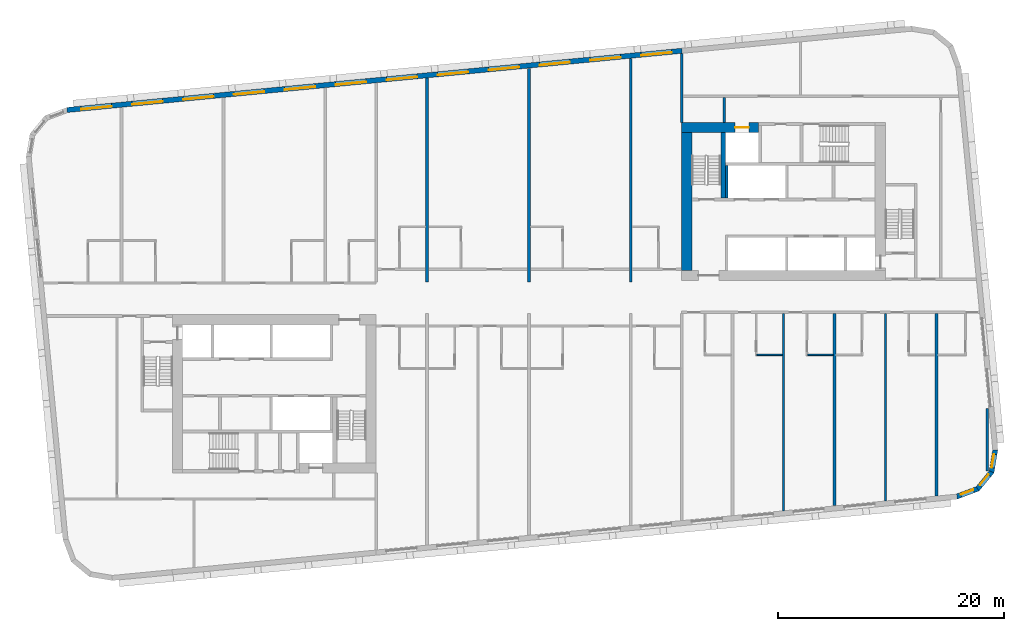
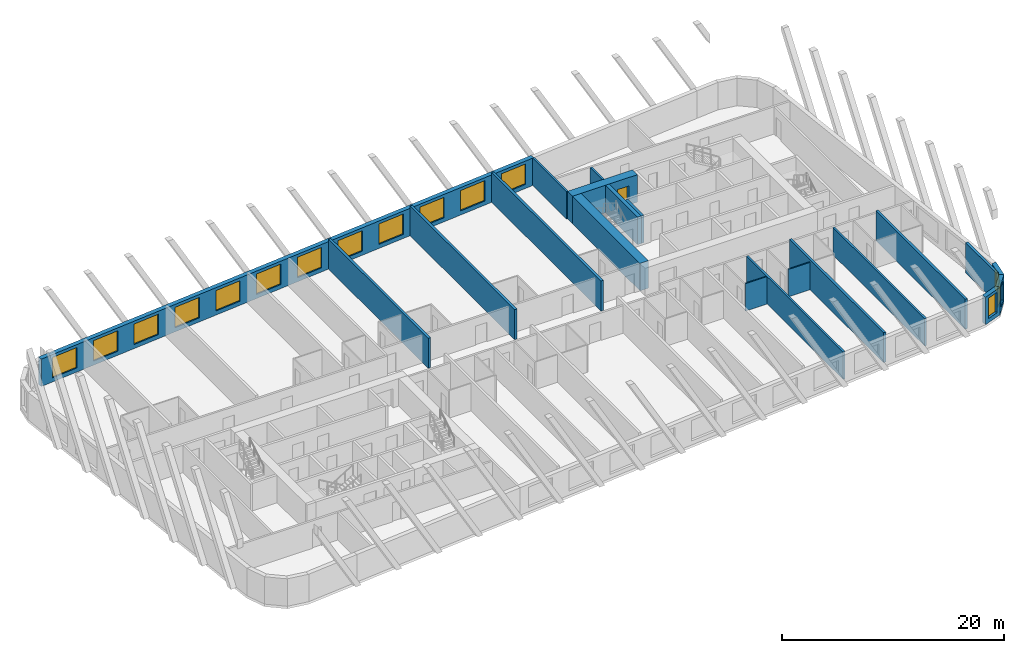
# One storey, part 6 of 13: 20 walls, 15 windows, 1 door, 16 openings.
"""IFC4 building model written with IfcOpenShell, lengths in metres."""

from ifc_helpers import new_model, si_unit, direction, frame, frame_2d, origin, place, context, subcontext, project, spatial, polyline, rectangle, outline, extrude, material, layer, layer_set, type_object, element, fill, save


model = new_model("IFC4")

# Units and contexts
model_context = context("Model", 3, precision=1e-05, world=origin(), true_north=direction((0.0, 1.0)))
body_context = subcontext(model_context, "Body", "Model", "MODEL_VIEW")
ifc_project = project(units=[si_unit("LENGTHUNIT", "METRE"), si_unit("AREAUNIT", "SQUARE_METRE"), si_unit("VOLUMEUNIT", "CUBIC_METRE"), si_unit("PLANEANGLEUNIT", "RADIAN"), si_unit("MASSUNIT", "GRAM", prefix="KILO")], contexts=[model_context])

# Site, building, storey
site_placement = place(None, origin())
site = spatial("IfcSite", under=ifc_project, at=site_placement, CompositionType="ELEMENT")
building_placement = place(site_placement, origin())
building = spatial("IfcBuilding", under=site, at=building_placement, Name="Kajstack Hotel Tower", CompositionType="ELEMENT")
storey_placement = place(building_placement, frame((0.0, 0.0, 186.699951171875)))
storey = spatial("IfcBuildingStorey", under=building, at=storey_placement, Name="L44", CompositionType="ELEMENT", Elevation=186.699951171875)

# Wall, opening, door
ifc_material_1 = material(Name="Concrete C60/75", Category="concrete")
ifc_layer_1 = layer(ifc_material_1, 0.89990234375)
ifc_layer_set_1 = layer_set([ifc_layer_1], Name="Core wall 900")
wall_type_1 = type_object("IfcWallType", Name="Core wall 900", PredefinedType="SHEAR", material=ifc_layer_set_1)
wall_1_placement = place(storey_placement, frame((13.5, 15.050048828125, 0.0), z_axis=(0.0, 0.0, 1.0), x_axis=(1.0, 0.0, 0.0)))
wall_1 = element("IfcWall", 1, at=wall_1_placement, inside=storey, type_object=wall_type_1, Name="Core wall E RS", PredefinedType="SHEAR", context=body_context, shape_type="SweptSolid", body=[
    extrude(rectangle(XDim=6.800048828125, YDim=0.89990234375, at=frame_2d((3.39990234375, 0.0))), origin(), (0.0, 0.0, 1.0), 3.02001953125),
])
opening_1_placement = place(wall_1_placement, frame((4.72509765625, 0.0, 0.0)))
opening_1 = element("IfcOpeningElement", 2, at=opening_1_placement, cuts=wall_1, Name="Opening LD-SV2", PredefinedType="OPENING", context=body_context, shape_type="SweptSolid", body=[
    extrude(rectangle(XDim=1.199951171875, YDim=2.10009765625, at=frame_2d((0.60009765625, 1.050048828125))), frame((0.0, 0.4599609375, 0.0), z_axis=(0.0, -1.0, 0.0), x_axis=(1.0, 0.0, 0.0)), (0.0, 0.0, 1.0), 0.919921875),
])
ifc_material_2 = material(Name="Stainless steel", Category="steel")
door_type = type_object("IfcDoorType", Name="Lift landing door 1200", OperationType="SLIDING_TO_LEFT", PredefinedType="DOOR", material=ifc_material_2)
door_placement = place(opening_1_placement, origin())
door = element("IfcDoor", 3, at=door_placement, inside=storey, type_object=door_type, Name="Landing door SV2", OperationType="SLIDING_TO_LEFT", OverallHeight=2.10009765625, OverallWidth=1.199951171875, PredefinedType="DOOR", context=body_context, shape_type="SweptSolid", body=[
    extrude(rectangle(XDim=1.199951171875, YDim=2.10009765625, at=frame_2d((0.60009765625, 1.050048828125))), frame((0.0, 0.02490234375, 0.0), z_axis=(0.0, -1.0, 0.0), x_axis=(1.0, 0.0, 0.0)), (0.0, 0.0, 1.0), 0.050048828125),
])
fill(opening_1, door)

# Walls
wall_2_placement = place(storey_placement, frame((13.949951171875, 2.39990234375, 0.0), z_axis=(0.0, 0.0, 1.0), x_axis=(0.0, 1.0, 0.0)))
element("IfcWall", 4, at=wall_2_placement, inside=storey, type_object=wall_type_1, Name="Core wall E RE", PredefinedType="SHEAR", context=body_context, shape_type="SweptSolid", body=[
    extrude(rectangle(XDim=12.2001953125, YDim=0.89990234375, at=frame_2d((6.10009765625, 0.0))), origin(), (0.0, 0.0, 1.0), 3.02001953125),
])
ifc_material_3 = material(Name="Twin-frame gypsum board on steel studs, mineral wool", Category="steel")
ifc_layer_2 = layer(ifc_material_3, 0.199951171875)
ifc_layer_set_2 = layer_set([ifc_layer_2], Name="Demising wall 200")
wall_type_2 = type_object("IfcWallType", Name="Demising wall 200", PredefinedType="PARTITIONING", material=ifc_layer_set_2)
wall_3_placement = place(storey_placement, frame((13.5, 15.5, 0.0), z_axis=(0.0, 0.0, 1.0), x_axis=(0.0, 1.0, 0.0)))
element("IfcWall", 5, at=wall_3_placement, inside=storey, type_object=wall_type_2, Name="G-wall-L44-001", PredefinedType="PARTITIONING", context=body_context, shape_type="SweptSolid", body=[
    extrude(rectangle(XDim=6.089111328125, YDim=0.199951171875, at=frame_2d((3.04443359375, 0.0))), origin(), (0.0, 0.0, 1.0), 3.02001953125),
])
wall_4_placement = place(storey_placement, frame((22.5, -18.833984375, 0.0), z_axis=(0.0, 0.0, 1.0), x_axis=(0.0, 1.0, 0.0)))
element("IfcWall", 6, at=wall_4_placement, inside=storey, type_object=wall_type_2, Name="G-wall-L44-038", PredefinedType="PARTITIONING", context=body_context, shape_type="SweptSolid", body=[
    extrude(rectangle(XDim=17.43408203125, YDim=0.199951171875, at=frame_2d((8.717041015625, 0.0))), origin(), (0.0, 0.0, 1.0), 3.02001953125),
])
wall_5_placement = place(storey_placement, frame((31.5, -17.967041015625, 0.0), z_axis=(0.0, 0.0, 1.0), x_axis=(0.0, 1.0, 0.0)))
element("IfcWall", 7, at=wall_5_placement, inside=storey, type_object=wall_type_2, Name="G-wall-L44-043", PredefinedType="PARTITIONING", context=body_context, shape_type="SweptSolid", body=[
    extrude(rectangle(XDim=16.567138671875, YDim=0.199951171875, at=frame_2d((8.28369140625, 0.0))), origin(), (0.0, 0.0, 1.0), 3.02001953125),
])

# Wall, opening, window
ifc_material_4 = material(Name="Terracotta-faced brick masonry", Category="masonry")
ifc_layer_3 = layer(ifc_material_4, 0.449951171875)
ifc_layer_set_3 = layer_set([ifc_layer_3], Name="EW-TERRA")
wall_type_3 = type_object("IfcWallType", Name="EW-TERRA", PredefinedType="SOLIDWALL", material=ifc_layer_set_3)
wall_6_placement = place(storey_placement, frame((37.76123046875, -17.598388671875, 0.0), z_axis=(0.0, 0.0, 1.0), x_axis=(0.936677599948, 0.350192909346, 0.0)))
wall_6 = element("IfcWall", 8, at=wall_6_placement, inside=storey, type_object=wall_type_3, Name="E-wall-L44-05-00", PredefinedType="SOLIDWALL", context=body_context, shape_type="SweptSolid", body=[
    extrude(outline(polyline([(0.0, -0.22509765625), (2.070556640625, -0.224853515625), (1.949951171875, 0.22509765625), (0.12060546875, 0.22509765625), (0.0, -0.22509765625)])), origin(), (0.0, 0.0, 1.0), 3.02001953125),
])
opening_2_placement = place(wall_6_placement, frame((0.435302734375, 0.0, 0.449951171875)))
opening_2 = element("IfcOpeningElement", 9, at=opening_2_placement, cuts=wall_6, Name="Opening W3", PredefinedType="OPENING", context=body_context, shape_type="SweptSolid", body=[
    extrude(rectangle(XDim=1.199951171875, YDim=2.25, at=frame_2d((0.60009765625, 1.125))), frame((0.0, 0.23486328125, 0.0), z_axis=(0.0, -1.0, 0.0), x_axis=(1.0, 0.0, 0.0)), (0.0, 0.0, 1.0), 0.469970703125),
])
ifc_material_5 = material(Name="Timber-aluminium window, triple glazed", Category="wood")
window_type_1 = type_object("IfcWindowType", Name="WG3", PartitioningType="SINGLE_PANEL", PredefinedType="WINDOW", material=ifc_material_5)
window_1_placement = place(opening_2_placement, origin())
window_1 = element("IfcWindow", 10, at=window_1_placement, inside=storey, type_object=window_type_1, Name="Window W3 L44-05", OverallHeight=2.25, OverallWidth=1.199951171875, PartitioningType="SINGLE_PANEL", PredefinedType="WINDOW", context=body_context, shape_type="SweptSolid", body=[
    extrude(rectangle(XDim=1.199951171875, YDim=2.25, at=frame_2d((0.60009765625, 1.125))), frame((0.0, 0.090087890625, 0.0), z_axis=(0.0, -1.0, 0.0), x_axis=(1.0, 0.0, 0.0)), (0.0, 0.0, 1.0), 0.06005859375),
])
fill(opening_2, window_1)

wall_7_placement = place(storey_placement, frame((39.60595703125, -16.94091796875, 0.0), z_axis=(0.0, 0.0, 1.0), x_axis=(0.636116318187, 0.771593176315, 0.0)))
wall_7 = element("IfcWall", 11, at=wall_7_placement, inside=storey, type_object=wall_type_3, Name="E-wall-L44-06-00", PredefinedType="SOLIDWALL", context=body_context, shape_type="SweptSolid", body=[
    extrude(outline(polyline([(0.0, -0.224853515625), (2.070556640625, -0.224853515625), (1.949951171875, 0.22509765625), (0.12060546875, 0.22509765625), (0.0, -0.224853515625)])), origin(), (0.0, 0.0, 1.0), 3.02001953125),
])
opening_3_placement = place(wall_7_placement, frame((0.435302734375, 0.0, 0.449951171875)))
opening_3 = element("IfcOpeningElement", 12, at=opening_3_placement, cuts=wall_7, Name="Opening W3", PredefinedType="OPENING", context=body_context, shape_type="SweptSolid", body=[
    extrude(rectangle(XDim=1.199951171875, YDim=2.25, at=frame_2d((0.60009765625, 1.125))), frame((0.0, 0.23486328125, 0.0), z_axis=(0.0, -1.0, 0.0), x_axis=(1.0, 0.0, 0.0)), (0.0, 0.0, 1.0), 0.469970703125),
])
window_2_placement = place(opening_3_placement, origin())
window_2 = element("IfcWindow", 13, at=window_2_placement, inside=storey, type_object=window_type_1, Name="Window W3 L44-06", OverallHeight=2.25, OverallWidth=1.199951171875, PartitioningType="SINGLE_PANEL", PredefinedType="WINDOW", context=body_context, shape_type="SweptSolid", body=[
    extrude(rectangle(XDim=1.199951171875, YDim=2.25, at=frame_2d((0.60009765625, 1.125))), frame((0.0, 0.090087890625, 0.0), z_axis=(0.0, -1.0, 0.0), x_axis=(1.0, 0.0, 0.0)), (0.0, 0.0, 1.0), 0.06005859375),
])
fill(opening_3, window_2)

wall_8_placement = place(storey_placement, frame((40.874755859375, -15.44921875, 0.0), z_axis=(0.0, 0.0, 1.0), x_axis=(0.164953448126, 0.986301353518, 0.0)))
wall_8 = element("IfcWall", 14, at=wall_8_placement, inside=storey, type_object=wall_type_3, Name="E-wall-L44-07-00", PredefinedType="SOLIDWALL", context=body_context, shape_type="SweptSolid", body=[
    extrude(outline(polyline([(0.0, -0.224853515625), (2.070556640625, -0.22509765625), (1.9501953125, 0.224853515625), (0.12060546875, 0.22509765625), (0.0, -0.224853515625)])), origin(), (0.0, 0.0, 1.0), 3.02001953125),
])
opening_4_placement = place(wall_8_placement, frame((0.435302734375, 0.0, 0.449951171875)))
opening_4 = element("IfcOpeningElement", 15, at=opening_4_placement, cuts=wall_8, Name="Opening W3", PredefinedType="OPENING", context=body_context, shape_type="SweptSolid", body=[
    extrude(rectangle(XDim=1.199951171875, YDim=2.25, at=frame_2d((0.60009765625, 1.125))), frame((0.0, 0.23486328125, 0.0), z_axis=(0.0, -1.0, 0.0), x_axis=(1.0, 0.0, 0.0)), (0.0, 0.0, 1.0), 0.469970703125),
])
window_3_placement = place(opening_4_placement, origin())
window_3 = element("IfcWindow", 16, at=window_3_placement, inside=storey, type_object=window_type_1, Name="Window W3 L44-07", OverallHeight=2.25, OverallWidth=1.199951171875, PartitioningType="SINGLE_PANEL", PredefinedType="WINDOW", context=body_context, shape_type="SweptSolid", body=[
    extrude(rectangle(XDim=1.199951171875, YDim=2.25, at=frame_2d((0.60009765625, 1.125))), frame((0.0, 0.090087890625, 0.0), z_axis=(0.0, -1.0, 0.0), x_axis=(1.0, 0.0, 0.0)), (0.0, 0.0, 1.0), 0.06005859375),
])
fill(opening_4, window_3)

# Wall, openings, windows
wall_9_placement = place(storey_placement, frame((13.521484375, 21.8173828125, 0.0), z_axis=(0.0, 0.0, 1.0), x_axis=(-0.995396508751, -0.095842529008, 0.0)))
wall_9 = element("IfcWall", 17, at=wall_9_placement, inside=storey, type_object=wall_type_3, Name="E-wall-L44-12-02", PredefinedType="SOLIDWALL", context=body_context, shape_type="SweptSolid", body=[
    extrude(rectangle(XDim=54.59130859375, YDim=0.449951171875, at=frame_2d((27.295654296875, 0.0))), origin(), (0.0, 0.0, 1.0), 3.02001953125),
])
opening_5_placement = place(wall_9_placement, frame((0.910400390625, 0.0, 0.449951171875)))
opening_5 = element("IfcOpeningElement", 18, at=opening_5_placement, cuts=wall_9, Name="Opening W1", PredefinedType="OPENING", context=body_context, shape_type="SweptSolid", body=[
    extrude(rectangle(XDim=2.699951171875, YDim=2.25, at=frame_2d((1.35009765625, 1.125))), frame((0.0, 0.23486328125, 0.0), z_axis=(0.0, -1.0, 0.0), x_axis=(1.0, 0.0, 0.0)), (0.0, 0.0, 1.0), 0.469970703125),
])
opening_6_placement = place(wall_9_placement, frame((5.43115234375, 0.0, 0.449951171875)))
opening_6 = element("IfcOpeningElement", 19, at=opening_6_placement, cuts=wall_9, Name="Opening W1", PredefinedType="OPENING", context=body_context, shape_type="SweptSolid", body=[
    extrude(rectangle(XDim=2.699951171875, YDim=2.25, at=frame_2d((1.35009765625, 1.125))), frame((0.0, 0.23486328125, 0.0), z_axis=(0.0, -1.0, 0.0), x_axis=(1.0, 0.0, 0.0)), (0.0, 0.0, 1.0), 0.469970703125),
])
opening_7_placement = place(wall_9_placement, frame((9.951904296875, 0.0, 0.449951171875)))
opening_7 = element("IfcOpeningElement", 20, at=opening_7_placement, cuts=wall_9, Name="Opening W1", PredefinedType="OPENING", context=body_context, shape_type="SweptSolid", body=[
    extrude(rectangle(XDim=2.699951171875, YDim=2.25, at=frame_2d((1.35009765625, 1.125))), frame((0.0, 0.23486328125, 0.0), z_axis=(0.0, -1.0, 0.0), x_axis=(1.0, 0.0, 0.0)), (0.0, 0.0, 1.0), 0.469970703125),
])
opening_8_placement = place(wall_9_placement, frame((14.472900390625, 0.0, 0.449951171875)))
opening_8 = element("IfcOpeningElement", 21, at=opening_8_placement, cuts=wall_9, Name="Opening W1", PredefinedType="OPENING", context=body_context, shape_type="SweptSolid", body=[
    extrude(rectangle(XDim=2.699951171875, YDim=2.25, at=frame_2d((1.35009765625, 1.125))), frame((0.0, 0.23486328125, 0.0), z_axis=(0.0, -1.0, 0.0), x_axis=(1.0, 0.0, 0.0)), (0.0, 0.0, 1.0), 0.469970703125),
])
opening_9_placement = place(wall_9_placement, frame((18.99365234375, 0.0, 0.449951171875)))
opening_9 = element("IfcOpeningElement", 22, at=opening_9_placement, cuts=wall_9, Name="Opening W1", PredefinedType="OPENING", context=body_context, shape_type="SweptSolid", body=[
    extrude(rectangle(XDim=2.699951171875, YDim=2.25, at=frame_2d((1.35009765625, 1.125))), frame((0.0, 0.23486328125, 0.0), z_axis=(0.0, -1.0, 0.0), x_axis=(1.0, 0.0, 0.0)), (0.0, 0.0, 1.0), 0.469970703125),
])
opening_10_placement = place(wall_9_placement, frame((23.514404296875, 0.0, 0.449951171875)))
opening_10 = element("IfcOpeningElement", 23, at=opening_10_placement, cuts=wall_9, Name="Opening W1", PredefinedType="OPENING", context=body_context, shape_type="SweptSolid", body=[
    extrude(rectangle(XDim=2.699951171875, YDim=2.25, at=frame_2d((1.35009765625, 1.125))), frame((0.0, 0.23486328125, 0.0), z_axis=(0.0, -1.0, 0.0), x_axis=(1.0, 0.0, 0.0)), (0.0, 0.0, 1.0), 0.469970703125),
])
opening_11_placement = place(wall_9_placement, frame((28.03515625, 0.0, 0.449951171875)))
opening_11 = element("IfcOpeningElement", 24, at=opening_11_placement, cuts=wall_9, Name="Opening W1", PredefinedType="OPENING", context=body_context, shape_type="SweptSolid", body=[
    extrude(rectangle(XDim=2.699951171875, YDim=2.25, at=frame_2d((1.35009765625, 1.125))), frame((0.0, 0.23486328125, 0.0), z_axis=(0.0, -1.0, 0.0), x_axis=(1.0, 0.0, 0.0)), (0.0, 0.0, 1.0), 0.469970703125),
])
opening_12_placement = place(wall_9_placement, frame((32.555908203125, 0.0, 0.449951171875)))
opening_12 = element("IfcOpeningElement", 25, at=opening_12_placement, cuts=wall_9, Name="Opening W1", PredefinedType="OPENING", context=body_context, shape_type="SweptSolid", body=[
    extrude(rectangle(XDim=2.699951171875, YDim=2.25, at=frame_2d((1.35009765625, 1.125))), frame((0.0, 0.23486328125, 0.0), z_axis=(0.0, -1.0, 0.0), x_axis=(1.0, 0.0, 0.0)), (0.0, 0.0, 1.0), 0.469970703125),
])
opening_13_placement = place(wall_9_placement, frame((37.076904296875, 0.0, 0.449951171875)))
opening_13 = element("IfcOpeningElement", 26, at=opening_13_placement, cuts=wall_9, Name="Opening W1", PredefinedType="OPENING", context=body_context, shape_type="SweptSolid", body=[
    extrude(rectangle(XDim=2.699951171875, YDim=2.25, at=frame_2d((1.35009765625, 1.125))), frame((0.0, 0.23486328125, 0.0), z_axis=(0.0, -1.0, 0.0), x_axis=(1.0, 0.0, 0.0)), (0.0, 0.0, 1.0), 0.469970703125),
])
opening_14_placement = place(wall_9_placement, frame((41.59765625, 0.0, 0.449951171875)))
opening_14 = element("IfcOpeningElement", 27, at=opening_14_placement, cuts=wall_9, Name="Opening W1", PredefinedType="OPENING", context=body_context, shape_type="SweptSolid", body=[
    extrude(rectangle(XDim=2.699951171875, YDim=2.25, at=frame_2d((1.35009765625, 1.125))), frame((0.0, 0.23486328125, 0.0), z_axis=(0.0, -1.0, 0.0), x_axis=(1.0, 0.0, 0.0)), (0.0, 0.0, 1.0), 0.469970703125),
])
opening_15_placement = place(wall_9_placement, frame((46.118408203125, 0.0, 0.449951171875)))
opening_15 = element("IfcOpeningElement", 28, at=opening_15_placement, cuts=wall_9, Name="Opening W1", PredefinedType="OPENING", context=body_context, shape_type="SweptSolid", body=[
    extrude(rectangle(XDim=2.699951171875, YDim=2.25, at=frame_2d((1.35009765625, 1.125))), frame((0.0, 0.23486328125, 0.0), z_axis=(0.0, -1.0, 0.0), x_axis=(1.0, 0.0, 0.0)), (0.0, 0.0, 1.0), 0.469970703125),
])
opening_16_placement = place(wall_9_placement, frame((50.62890625, 0.0, 0.449951171875)))
opening_16 = element("IfcOpeningElement", 29, at=opening_16_placement, cuts=wall_9, Name="Opening W1", PredefinedType="OPENING", context=body_context, shape_type="SweptSolid", body=[
    extrude(rectangle(XDim=2.699951171875, YDim=2.25, at=frame_2d((1.35009765625, 1.125))), frame((0.0, 0.23486328125, 0.0), z_axis=(0.0, -1.0, 0.0), x_axis=(1.0, 0.0, 0.0)), (0.0, 0.0, 1.0), 0.469970703125),
])
window_type_2 = type_object("IfcWindowType", Name="WG1", PartitioningType="SINGLE_PANEL", PredefinedType="WINDOW", material=ifc_material_5)
window_4_placement = place(opening_5_placement, origin())
window_4 = element("IfcWindow", 30, at=window_4_placement, inside=storey, type_object=window_type_2, Name="Window W1 L44-12", OverallHeight=2.25, OverallWidth=2.699951171875, PartitioningType="SINGLE_PANEL", PredefinedType="WINDOW", context=body_context, shape_type="SweptSolid", body=[
    extrude(rectangle(XDim=2.699951171875, YDim=2.25, at=frame_2d((1.35009765625, 1.125))), frame((0.0, 0.090087890625, 0.0), z_axis=(0.0, -1.0, 0.0), x_axis=(1.0, 0.0, 0.0)), (0.0, 0.0, 1.0), 0.06005859375),
])
fill(opening_5, window_4)
window_5_placement = place(opening_6_placement, origin())
window_5 = element("IfcWindow", 31, at=window_5_placement, inside=storey, type_object=window_type_2, Name="Window W1 L44-12", OverallHeight=2.25, OverallWidth=2.699951171875, PartitioningType="SINGLE_PANEL", PredefinedType="WINDOW", context=body_context, shape_type="SweptSolid", body=[
    extrude(rectangle(XDim=2.699951171875, YDim=2.25, at=frame_2d((1.35009765625, 1.125))), frame((0.0, 0.090087890625, 0.0), z_axis=(0.0, -1.0, 0.0), x_axis=(1.0, 0.0, 0.0)), (0.0, 0.0, 1.0), 0.06005859375),
])
fill(opening_6, window_5)
window_6_placement = place(opening_7_placement, origin())
window_6 = element("IfcWindow", 32, at=window_6_placement, inside=storey, type_object=window_type_2, Name="Window W1 L44-12", OverallHeight=2.25, OverallWidth=2.699951171875, PartitioningType="SINGLE_PANEL", PredefinedType="WINDOW", context=body_context, shape_type="SweptSolid", body=[
    extrude(rectangle(XDim=2.699951171875, YDim=2.25, at=frame_2d((1.35009765625, 1.125))), frame((0.0, 0.090087890625, 0.0), z_axis=(0.0, -1.0, 0.0), x_axis=(1.0, 0.0, 0.0)), (0.0, 0.0, 1.0), 0.06005859375),
])
fill(opening_7, window_6)
window_7_placement = place(opening_8_placement, origin())
window_7 = element("IfcWindow", 33, at=window_7_placement, inside=storey, type_object=window_type_2, Name="Window W1 L44-12", OverallHeight=2.25, OverallWidth=2.699951171875, PartitioningType="SINGLE_PANEL", PredefinedType="WINDOW", context=body_context, shape_type="SweptSolid", body=[
    extrude(rectangle(XDim=2.699951171875, YDim=2.25, at=frame_2d((1.35009765625, 1.125))), frame((0.0, 0.090087890625, 0.0), z_axis=(0.0, -1.0, 0.0), x_axis=(1.0, 0.0, 0.0)), (0.0, 0.0, 1.0), 0.06005859375),
])
fill(opening_8, window_7)
window_8_placement = place(opening_9_placement, origin())
window_8 = element("IfcWindow", 34, at=window_8_placement, inside=storey, type_object=window_type_2, Name="Window W1 L44-12", OverallHeight=2.25, OverallWidth=2.699951171875, PartitioningType="SINGLE_PANEL", PredefinedType="WINDOW", context=body_context, shape_type="SweptSolid", body=[
    extrude(rectangle(XDim=2.699951171875, YDim=2.25, at=frame_2d((1.35009765625, 1.125))), frame((0.0, 0.090087890625, 0.0), z_axis=(0.0, -1.0, 0.0), x_axis=(1.0, 0.0, 0.0)), (0.0, 0.0, 1.0), 0.06005859375),
])
fill(opening_9, window_8)
window_9_placement = place(opening_10_placement, origin())
window_9 = element("IfcWindow", 35, at=window_9_placement, inside=storey, type_object=window_type_2, Name="Window W1 L44-12", OverallHeight=2.25, OverallWidth=2.699951171875, PartitioningType="SINGLE_PANEL", PredefinedType="WINDOW", context=body_context, shape_type="SweptSolid", body=[
    extrude(rectangle(XDim=2.699951171875, YDim=2.25, at=frame_2d((1.35009765625, 1.125))), frame((0.0, 0.090087890625, 0.0), z_axis=(0.0, -1.0, 0.0), x_axis=(1.0, 0.0, 0.0)), (0.0, 0.0, 1.0), 0.06005859375),
])
fill(opening_10, window_9)
window_10_placement = place(opening_11_placement, origin())
window_10 = element("IfcWindow", 36, at=window_10_placement, inside=storey, type_object=window_type_2, Name="Window W1 L44-12", OverallHeight=2.25, OverallWidth=2.699951171875, PartitioningType="SINGLE_PANEL", PredefinedType="WINDOW", context=body_context, shape_type="SweptSolid", body=[
    extrude(rectangle(XDim=2.699951171875, YDim=2.25, at=frame_2d((1.35009765625, 1.125))), frame((0.0, 0.090087890625, 0.0), z_axis=(0.0, -1.0, 0.0), x_axis=(1.0, 0.0, 0.0)), (0.0, 0.0, 1.0), 0.06005859375),
])
fill(opening_11, window_10)
window_11_placement = place(opening_12_placement, origin())
window_11 = element("IfcWindow", 37, at=window_11_placement, inside=storey, type_object=window_type_2, Name="Window W1 L44-12", OverallHeight=2.25, OverallWidth=2.699951171875, PartitioningType="SINGLE_PANEL", PredefinedType="WINDOW", context=body_context, shape_type="SweptSolid", body=[
    extrude(rectangle(XDim=2.699951171875, YDim=2.25, at=frame_2d((1.35009765625, 1.125))), frame((0.0, 0.090087890625, 0.0), z_axis=(0.0, -1.0, 0.0), x_axis=(1.0, 0.0, 0.0)), (0.0, 0.0, 1.0), 0.06005859375),
])
fill(opening_12, window_11)
window_12_placement = place(opening_13_placement, origin())
window_12 = element("IfcWindow", 38, at=window_12_placement, inside=storey, type_object=window_type_2, Name="Window W1 L44-12", OverallHeight=2.25, OverallWidth=2.699951171875, PartitioningType="SINGLE_PANEL", PredefinedType="WINDOW", context=body_context, shape_type="SweptSolid", body=[
    extrude(rectangle(XDim=2.699951171875, YDim=2.25, at=frame_2d((1.35009765625, 1.125))), frame((0.0, 0.090087890625, 0.0), z_axis=(0.0, -1.0, 0.0), x_axis=(1.0, 0.0, 0.0)), (0.0, 0.0, 1.0), 0.06005859375),
])
fill(opening_13, window_12)
window_13_placement = place(opening_14_placement, origin())
window_13 = element("IfcWindow", 39, at=window_13_placement, inside=storey, type_object=window_type_2, Name="Window W1 L44-12", OverallHeight=2.25, OverallWidth=2.699951171875, PartitioningType="SINGLE_PANEL", PredefinedType="WINDOW", context=body_context, shape_type="SweptSolid", body=[
    extrude(rectangle(XDim=2.699951171875, YDim=2.25, at=frame_2d((1.35009765625, 1.125))), frame((0.0, 0.090087890625, 0.0), z_axis=(0.0, -1.0, 0.0), x_axis=(1.0, 0.0, 0.0)), (0.0, 0.0, 1.0), 0.06005859375),
])
fill(opening_14, window_13)
window_14_placement = place(opening_15_placement, origin())
window_14 = element("IfcWindow", 40, at=window_14_placement, inside=storey, type_object=window_type_2, Name="Window W1 L44-12", OverallHeight=2.25, OverallWidth=2.699951171875, PartitioningType="SINGLE_PANEL", PredefinedType="WINDOW", context=body_context, shape_type="SweptSolid", body=[
    extrude(rectangle(XDim=2.699951171875, YDim=2.25, at=frame_2d((1.35009765625, 1.125))), frame((0.0, 0.090087890625, 0.0), z_axis=(0.0, -1.0, 0.0), x_axis=(1.0, 0.0, 0.0)), (0.0, 0.0, 1.0), 0.06005859375),
])
fill(opening_15, window_14)
window_15_placement = place(opening_16_placement, origin())
window_15 = element("IfcWindow", 41, at=window_15_placement, inside=storey, type_object=window_type_2, Name="Window W1 L44-12", OverallHeight=2.25, OverallWidth=2.699951171875, PartitioningType="SINGLE_PANEL", PredefinedType="WINDOW", context=body_context, shape_type="SweptSolid", body=[
    extrude(rectangle(XDim=2.699951171875, YDim=2.25, at=frame_2d((1.35009765625, 1.125))), frame((0.0, 0.090087890625, 0.0), z_axis=(0.0, -1.0, 0.0), x_axis=(1.0, 0.0, 0.0)), (0.0, 0.0, 1.0), 0.06005859375),
])
fill(opening_16, window_15)

# Walls
ifc_material_6 = material(Name="Gypsum board and tiled backer on steel studs", Category="steel")
ifc_layer_4 = layer(ifc_material_6, 0.125)
ifc_layer_set_4 = layer_set([ifc_layer_4], Name="En-suite wall 125")
wall_type_4 = type_object("IfcWallType", Name="En-suite wall 125", PredefinedType="PARTITIONING", material=ifc_layer_set_4)
for number, where, z_axis, x_axis, name in (
    (42, (20.14990234375, -5.06201171875, 0.0), (0.0, 0.0, 1.0), (1.0, 0.0, 0.0), "G-wall-L44-040"),
    (43, (24.625, -5.06201171875, 0.0), (0.0, 0.0, 1.0), (1.0, 0.0, 0.0), "G-wall-L44-042"),
):
    element("IfcWall", number, at=place(storey_placement, frame(where, z_axis=z_axis, x_axis=x_axis)), inside=storey, type_object=wall_type_4, Name=name, PredefinedType="PARTITIONING", context=body_context, shape_type="SweptSolid", body=[
        extrude(rectangle(XDim=2.25, YDim=0.125, at=frame_2d((1.125, 0.0))), origin(), (0.0, 0.0, 1.0), 3.02001953125),
    ])
ifc_material_7 = material(Name="Concrete C50/60", Category="concrete")
ifc_layer_5 = layer(ifc_material_7, 0.25)
ifc_layer_set_5 = layer_set([ifc_layer_5], Name="RC cross wall 250 C50/60")
wall_type_5 = type_object("IfcWallType", Name="RC cross wall 250 C50/60", PredefinedType="SHEAR", material=ifc_layer_set_5)
wall_10_placement = place(storey_placement, frame((-9.0, 1.39990234375, 0.0), z_axis=(0.0, 0.0, 1.0), x_axis=(0.0, 1.0, 0.0)))
element("IfcWall", 44, at=wall_10_placement, inside=storey, type_object=wall_type_5, Name="S-wall-L44-05", PredefinedType="SHEAR", context=body_context, shape_type="SweptSolid", body=[
    extrude(rectangle(XDim=18.0009765625, YDim=0.25, at=frame_2d((9.00048828125, 0.0))), origin(), (0.0, 0.0, 1.0), 3.300048828125),
])
wall_11_placement = place(storey_placement, frame((0.0, 1.39990234375, 0.0), z_axis=(0.0, 0.0, 1.0), x_axis=(0.0, 1.0, 0.0)))
element("IfcWall", 45, at=wall_11_placement, inside=storey, type_object=wall_type_5, Name="S-wall-L44-07", PredefinedType="SHEAR", context=body_context, shape_type="SweptSolid", body=[
    extrude(rectangle(XDim=18.867431640625, YDim=0.25, at=frame_2d((9.43359375, 0.0))), origin(), (0.0, 0.0, 1.0), 3.300048828125),
])
wall_12_placement = place(storey_placement, frame((9.0, 1.39990234375, 0.0), z_axis=(0.0, 0.0, 1.0), x_axis=(0.0, 1.0, 0.0)))
element("IfcWall", 46, at=wall_12_placement, inside=storey, type_object=wall_type_5, Name="S-wall-L44-09", PredefinedType="SHEAR", context=body_context, shape_type="SweptSolid", body=[
    extrude(rectangle(XDim=19.734130859375, YDim=0.25, at=frame_2d((9.8671875, 0.0))), origin(), (0.0, 0.0, 1.0), 3.300048828125),
])
wall_13_placement = place(storey_placement, frame((27.0, -18.378662109375, 0.0), z_axis=(0.0, 0.0, 1.0), x_axis=(0.0, 1.0, 0.0)))
element("IfcWall", 47, at=wall_13_placement, inside=storey, type_object=wall_type_5, Name="S-wall-L44-11", PredefinedType="SHEAR", context=body_context, shape_type="SweptSolid", body=[
    extrude(rectangle(XDim=16.978759765625, YDim=0.25, at=frame_2d((8.4892578125, 0.0))), origin(), (0.0, 0.0, 1.0), 3.300048828125),
])
wall_14_placement = place(storey_placement, frame((36.0, -17.51220703125, 0.0), z_axis=(0.0, 0.0, 1.0), x_axis=(0.0, 1.0, 0.0)))
element("IfcWall", 48, at=wall_14_placement, inside=storey, type_object=wall_type_5, Name="S-wall-L44-12", PredefinedType="SHEAR", context=body_context, shape_type="SweptSolid", body=[
    extrude(rectangle(XDim=16.1123046875, YDim=0.25, at=frame_2d((8.05615234375, 0.0))), origin(), (0.0, 0.0, 1.0), 3.300048828125),
])
wall_15_placement = place(storey_placement, frame((40.5, -15.335205078125, 0.0), z_axis=(0.0, 0.0, 1.0), x_axis=(0.0, 1.0, 0.0)))
element("IfcWall", 49, at=wall_15_placement, inside=storey, type_object=wall_type_5, Name="S-wall-L44-13", PredefinedType="SHEAR", context=body_context, shape_type="SweptSolid", body=[
    extrude(rectangle(XDim=5.5380859375, YDim=0.25, at=frame_2d((2.76904296875, 0.0))), origin(), (0.0, 0.0, 1.0), 3.300048828125),
])
ifc_material_8 = material(Name="Gypsum board on steel studs, mineral wool", Category="steel")
ifc_layer_6 = layer(ifc_material_8, 0.199951171875)
ifc_layer_set_6 = layer_set([ifc_layer_6], Name="Service partition 200")
wall_type_6 = type_object("IfcWallType", Name="Service partition 200", PredefinedType="PARTITIONING", material=ifc_layer_set_6)
wall_16_placement = place(storey_placement, frame((17.25, 15.5, 0.0), z_axis=(0.0, 0.0, 1.0), x_axis=(0.0, 1.0, 0.0)))
element("IfcWall", 50, at=wall_16_placement, inside=storey, type_object=wall_type_6, Name="Partition E SCE", PredefinedType="PARTITIONING", context=body_context, shape_type="SweptSolid", body=[
    extrude(rectangle(XDim=2.199951171875, YDim=0.199951171875, at=frame_2d((1.10009765625, 0.0))), origin(), (0.0, 0.0, 1.0), 3.02001953125),
])
ifc_layer_7 = layer(ifc_material_7, 0.25)
ifc_layer_set_7 = layer_set([ifc_layer_7], Name="Shaft wall 250")
wall_type_7 = type_object("IfcWallType", Name="Shaft wall 250", PredefinedType="SHEAR", material=ifc_layer_set_7)
wall_17_placement = place(storey_placement, frame((17.47509765625, 8.800048828125, 0.0), z_axis=(0.0, 0.0, 1.0), x_axis=(0.0, 1.0, 0.0)))
element("IfcWall", 51, at=wall_17_placement, inside=storey, type_object=wall_type_7, Name="Core wall E BE", PredefinedType="SHEAR", context=body_context, shape_type="SweptSolid", body=[
    extrude(rectangle(XDim=2.89990234375, YDim=0.25, at=frame_2d((1.449951171875, 0.0))), origin(), (0.0, 0.0, 1.0), 3.02001953125),
])
ifc_layer_8 = layer(ifc_material_7, 0.39990234375)
ifc_layer_set_8 = layer_set([ifc_layer_8], Name="Stair wall 400")
wall_type_8 = type_object("IfcWallType", Name="Stair wall 400", PredefinedType="SHEAR", material=ifc_layer_set_8)
wall_18_placement = place(storey_placement, frame((17.14990234375, 8.800048828125, 0.0), z_axis=(0.0, 0.0, 1.0), x_axis=(0.0, 1.0, 0.0)))
element("IfcWall", 52, at=wall_18_placement, inside=storey, type_object=wall_type_8, Name="Core wall E WW2", PredefinedType="SHEAR", context=body_context, shape_type="SweptSolid", body=[
    extrude(rectangle(XDim=5.800048828125, YDim=0.39990234375, at=frame_2d((2.89990234375, 0.0))), origin(), (0.0, 0.0, 1.0), 3.02001953125),
])

save(model, "model.ifc")
